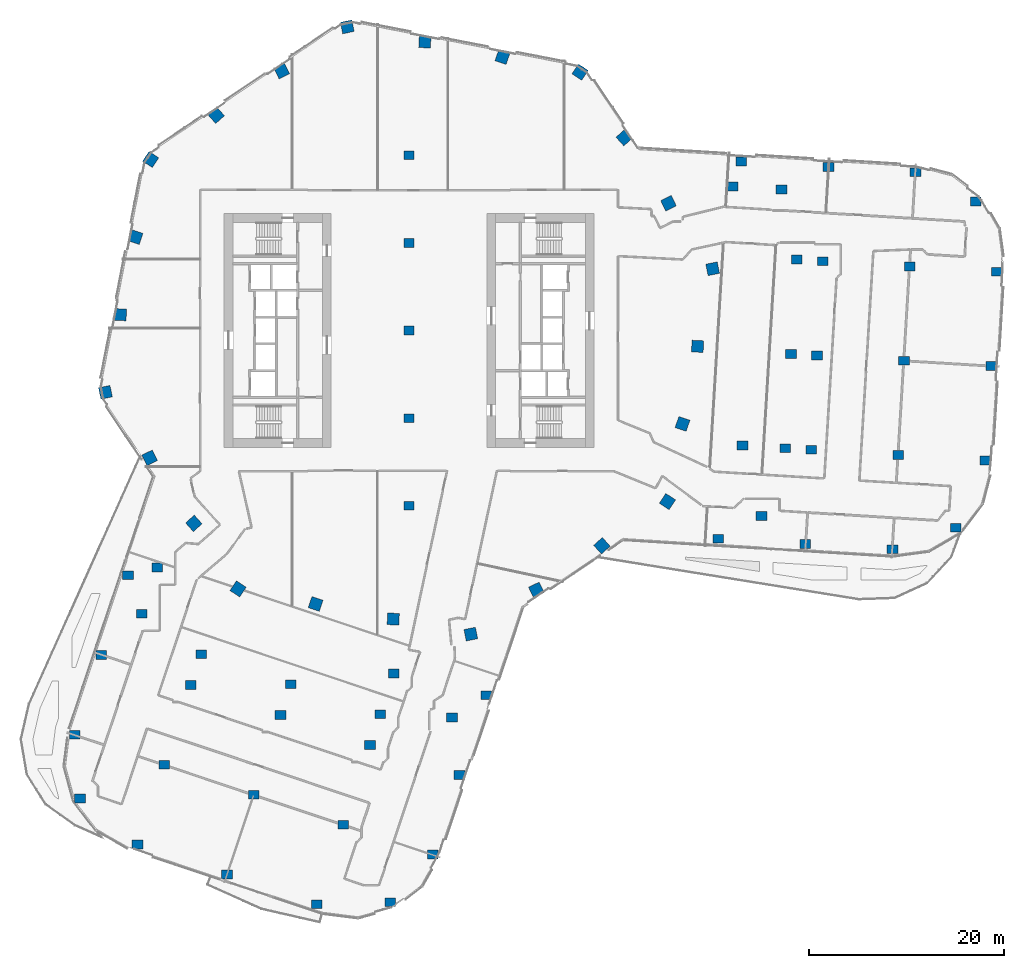
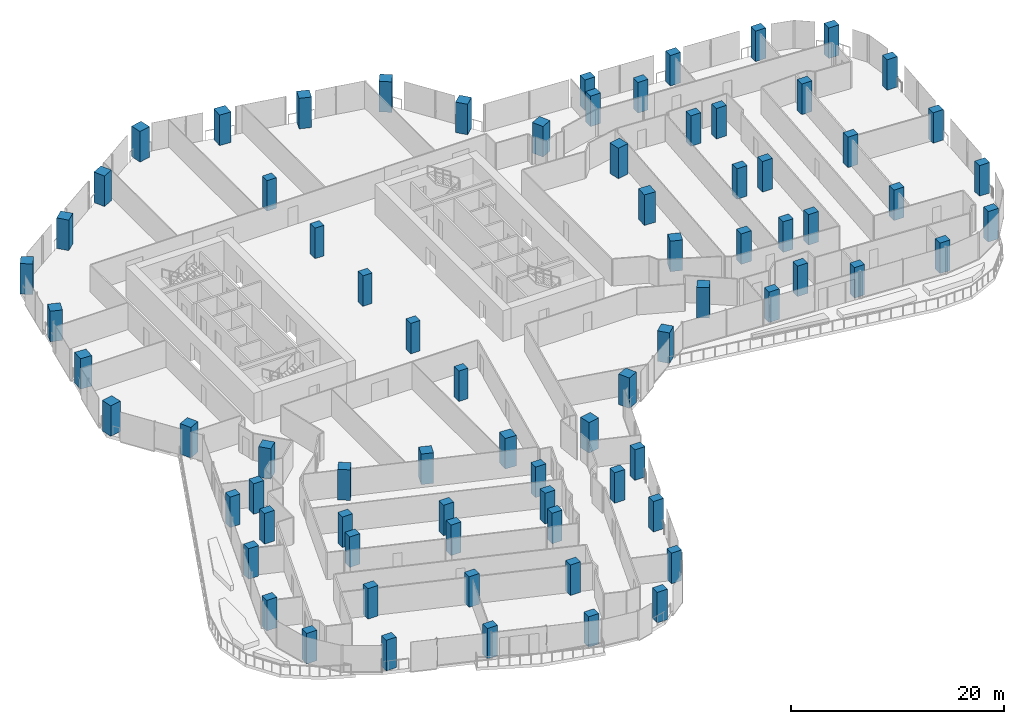
# One storey, part 1 of 34: 77 columns.
"""IFC4 building model written with IfcOpenShell, lengths in metres."""

from ifc_helpers import new_model, si_unit, direction, frame, origin, origin_2d, place, context, subcontext, project, spatial, rectangle, extrude, material, material_profile, profile_set, type_object, element, save


model = new_model("IFC4")

# Units and contexts
model_context = context("Model", 3, precision=1e-05, world=origin(), true_north=direction((0.0, 1.0)))
body_context = subcontext(model_context, "Body", "Model", "MODEL_VIEW")
ifc_project = project(units=[si_unit("LENGTHUNIT", "METRE"), si_unit("AREAUNIT", "SQUARE_METRE"), si_unit("VOLUMEUNIT", "CUBIC_METRE"), si_unit("PLANEANGLEUNIT", "RADIAN"), si_unit("MASSUNIT", "GRAM", prefix="KILO")], contexts=[model_context])

# Site, building, storey
site_placement = place(None, origin())
site = spatial("IfcSite", under=ifc_project, at=site_placement, CompositionType="ELEMENT")
building_placement = place(site_placement, origin())
building = spatial("IfcBuilding", under=site, at=building_placement, Name="Orlundy Tower", CompositionType="ELEMENT")
storey_placement = place(building_placement, frame((0.0, 0.0, 145.60009765625)))
storey = spatial("IfcBuildingStorey", under=building, at=storey_placement, Name="L37", CompositionType="ELEMENT", Elevation=145.60009765625)

# Columns
ifc_material_1 = material(Name="Concrete C70/85", Category="concrete")
ifc_material_profile_1 = material_profile(ifc_material_1, rectangle(XDim=1.0, YDim=0.89990234375, at=origin_2d()), Name="RC1000X900")
ifc_profile_set_1 = profile_set([ifc_material_profile_1], Name="Concrete C70/85")
column_type_1 = type_object("IfcColumnType", Name="RC COLUMN RC1000X900 C70/85", PredefinedType="COLUMN", material=ifc_profile_set_1)
for number, where, z_axis, x_axis, name in (
    (1, (0.0, -18.0, 0.0), (0.0, 0.0, 1.0), (1.0, 0.0, 0.0), "Column C-M1 L37"),
    (2, (0.0, -9.0, 0.0), (0.0, 0.0, 1.0), (1.0, 0.0, 0.0), "Column C-M2 L37"),
    (3, (0.0, 0.0, 0.0), (0.0, 0.0, 1.0), (1.0, 0.0, 0.0), "Column C-M3 L37"),
    (4, (0.0, 9.0, 0.0), (0.0, 0.0, 1.0), (1.0, 0.0, 0.0), "Column C-M4 L37"),
    (5, (0.0, 18.0, 0.0), (0.0, 0.0, 1.0), (1.0, 0.0, 0.0), "Column C-M5 L37"),
):
    element("IfcColumn", number, at=place(storey_placement, frame(where, z_axis=z_axis, x_axis=x_axis)), inside=storey, type_object=column_type_1, Name=name, PredefinedType="COLUMN", context=body_context, shape_type="SweptSolid", body=[
        extrude(rectangle(XDim=1.0, YDim=0.89990234375, at=origin_2d()), origin(), (0.0, 0.0, 1.0), 3.5),
    ])
ifc_material_2 = material(Name="Concrete C70/85", Category="concrete")
ifc_material_profile_2 = material_profile(ifc_material_2, rectangle(XDim=1.10009765625, YDim=0.89990234375, at=origin_2d()), Name="RC1100X900")
ifc_profile_set_2 = profile_set([ifc_material_profile_2], Name="Concrete C70/85")
column_type_2 = type_object("IfcColumnType", Name="RC COLUMN RC1100X900 C70/85", PredefinedType="COLUMN", material=ifc_profile_set_2)
for number, where, z_axis, x_axis, name in (
    (6, (31.75390625, -21.3779296875, 0.0), (0.0, 0.0, 1.0), (1.0, 0.0, 0.0), "Column C-A1-1 L37"),
    (7, (40.7041015625, -21.926025390625, 0.0), (0.0, 0.0, 1.0), (1.0, 0.0, 0.0), "Column C-A1-2 L37"),
    (8, (49.654052734375, -22.472900390625, 0.0), (0.0, 0.0, 1.0), (1.0, 0.0, 0.0), "Column C-A1-3 L37"),
    (9, (56.160888671875, -20.260009765625, 0.0), (0.0, 0.0, 1.0), (1.0, 0.0, 0.0), "Column C-A1-5 L37"),
    (10, (36.197998046875, -19.0390625, 0.0), (0.0, 0.0, 1.0), (1.0, 0.0, 0.0), "Column C-A1-6 L37"),
    (11, (41.2958984375, -12.243896484375, 0.0), (0.0, 0.0, 1.0), (1.0, 0.0, 0.0), "Column C-A2-2 L37"),
    (12, (50.24609375, -12.791015625, 0.0), (0.0, 0.0, 1.0), (1.0, 0.0, 0.0), "Column C-A2-3 L37"),
    (13, (59.196044921875, -13.339111328125, 0.0), (0.0, 0.0, 1.0), (1.0, 0.0, 0.0), "Column C-A2-5 L37"),
    (14, (38.635009765625, -12.0810546875, 0.0), (0.0, 0.0, 1.0), (1.0, 0.0, 0.0), "Column C-A2-6 L37"),
    (15, (34.242919921875, -11.81298828125, 0.0), (0.0, 0.0, 1.0), (1.0, 0.0, 0.0), "Column C-A2-7 L37"),
    (16, (41.887939453125, -2.56201171875, 0.0), (0.0, 0.0, 1.0), (1.0, 0.0, 0.0), "Column C-A3-2 L37"),
    (17, (50.837890625, -3.10888671875, 0.0), (0.0, 0.0, 1.0), (1.0, 0.0, 0.0), "Column C-A3-3 L37"),
    (18, (59.7880859375, -3.656982421875, 0.0), (0.0, 0.0, 1.0), (1.0, 0.0, 0.0), "Column C-A3-5 L37"),
    (19, (39.22705078125, -2.39892578125, 0.0), (0.0, 0.0, 1.0), (1.0, 0.0, 0.0), "Column C-A3-6 L37"),
    (20, (42.48095703125, 7.1201171875, 0.0), (0.0, 0.0, 1.0), (1.0, 0.0, 0.0), "Column C-A4-2 L37"),
    (21, (51.430908203125, 6.572998046875, 0.0), (0.0, 0.0, 1.0), (1.0, 0.0, 0.0), "Column C-A4-3 L37"),
    (22, (60.3798828125, 6.02490234375, 0.0), (0.0, 0.0, 1.0), (1.0, 0.0, 0.0), "Column C-A4-5 L37"),
    (23, (39.819091796875, 7.282958984375, 0.0), (0.0, 0.0, 1.0), (1.0, 0.0, 0.0), "Column C-A4-6 L37"),
    (24, (34.123046875, 17.34912109375, 0.0), (0.0, 0.0, 1.0), (1.0, 0.0, 0.0), "Column C-A5-1 L37"),
    (25, (43.072998046875, 16.802001953125, 0.0), (0.0, 0.0, 1.0), (1.0, 0.0, 0.0), "Column C-A5-2 L37"),
    (26, (52.02294921875, 16.25390625, 0.0), (0.0, 0.0, 1.0), (1.0, 0.0, 0.0), "Column C-A5-3 L37"),
    (27, (58.2119140625, 13.263916015625, 0.0), (0.0, 0.0, 1.0), (1.0, 0.0, 0.0), "Column C-A5-5 L37"),
    (28, (38.2490234375, 14.485107421875, 0.0), (0.0, 0.0, 1.0), (1.0, 0.0, 0.0), "Column C-A5-6 L37"),
    (29, (33.258056640625, 14.7900390625, 0.0), (0.0, 0.0, 1.0), (1.0, 0.0, 0.0), "Column C-A5-7 L37"),
    (30, (-28.868896484375, -25.138916015625, 0.0), (0.0, 0.0, 1.0), (1.0, 0.0, 0.0), "Column C-B1-1 L37"),
    (31, (-31.60791015625, -33.325927734375, 0.0), (0.0, 0.0, 1.0), (1.0, 0.0, 0.0), "Column C-B1-2 L37"),
    (32, (-34.343994140625, -41.514892578125, 0.0), (0.0, 0.0, 1.0), (1.0, 0.0, 0.0), "Column C-B1-3 L37"),
    (33, (-33.7880859375, -48.055908203125, 0.0), (0.0, 0.0, 1.0), (1.0, 0.0, 0.0), "Column C-B1-5 L37"),
    (34, (-27.44091796875, -29.089111328125, 0.0), (0.0, 0.0, 1.0), (1.0, 0.0, 0.0), "Column C-B1-6 L37"),
    (35, (-25.85498046875, -24.347900390625, 0.0), (0.0, 0.0, 1.0), (1.0, 0.0, 0.0), "Column C-B1-7 L37"),
    (36, (-22.408935546875, -36.404052734375, 0.0), (0.0, 0.0, 1.0), (1.0, 0.0, 0.0), "Column C-B2-2 L37"),
    (37, (-25.14892578125, -44.591064453125, 0.0), (0.0, 0.0, 1.0), (1.0, 0.0, 0.0), "Column C-B2-3 L37"),
    (38, (-27.887939453125, -52.778076171875, 0.0), (0.0, 0.0, 1.0), (1.0, 0.0, 0.0), "Column C-B2-5 L37"),
    (39, (-21.35205078125, -33.242919921875, 0.0), (0.0, 0.0, 1.0), (1.0, 0.0, 0.0), "Column C-B2-6 L37"),
    (40, (-13.2099609375, -39.48193359375, 0.0), (0.0, 0.0, 1.0), (1.0, 0.0, 0.0), "Column C-B3-2 L37"),
    (41, (-15.949951171875, -47.6689453125, 0.0), (0.0, 0.0, 1.0), (1.0, 0.0, 0.0), "Column C-B3-3 L37"),
    (42, (-18.68896484375, -55.85595703125, 0.0), (0.0, 0.0, 1.0), (1.0, 0.0, 0.0), "Column C-B3-5 L37"),
    (43, (-12.153076171875, -36.321044921875, 0.0), (0.0, 0.0, 1.0), (1.0, 0.0, 0.0), "Column C-B3-6 L37"),
    (44, (-4.011962890625, -42.56005859375, 0.0), (0.0, 0.0, 1.0), (1.0, 0.0, 0.0), "Column C-B4-2 L37"),
    (45, (-6.7509765625, -50.7470703125, 0.0), (0.0, 0.0, 1.0), (1.0, 0.0, 0.0), "Column C-B4-3 L37"),
    (46, (-9.490966796875, -58.93408203125, 0.0), (0.0, 0.0, 1.0), (1.0, 0.0, 0.0), "Column C-B4-5 L37"),
    (47, (-2.9541015625, -39.39892578125, 0.0), (0.0, 0.0, 1.0), (1.0, 0.0, 0.0), "Column C-B4-6 L37"),
    (48, (-1.55810546875, -35.22607421875, 0.0), (0.0, 0.0, 1.0), (1.0, 0.0, 0.0), "Column C-B4-7 L37"),
    (49, (7.926025390625, -37.449951171875, 0.0), (0.0, 0.0, 1.0), (1.0, 0.0, 0.0), "Column C-B5-1 L37"),
    (50, (5.18701171875, -45.637939453125, 0.0), (0.0, 0.0, 1.0), (1.0, 0.0, 0.0), "Column C-B5-2 L37"),
    (51, (2.444091796875, -53.822998046875, 0.0), (0.0, 0.0, 1.0), (1.0, 0.0, 0.0), "Column C-B5-3 L37"),
    (52, (-1.93701171875, -58.712890625, 0.0), (0.0, 0.0, 1.0), (1.0, 0.0, 0.0), "Column C-B5-5 L37"),
    (53, (4.408935546875, -39.74609375, 0.0), (0.0, 0.0, 1.0), (1.0, 0.0, 0.0), "Column C-B5-6 L37"),
):
    element("IfcColumn", number, at=place(storey_placement, frame(where, z_axis=z_axis, x_axis=x_axis)), inside=storey, type_object=column_type_2, Name=name, PredefinedType="COLUMN", context=body_context, shape_type="SweptSolid", body=[
        extrude(rectangle(XDim=1.10009765625, YDim=0.89990234375, at=origin_2d()), origin(), (0.0, 0.0, 1.0), 3.5),
    ])
ifc_material_3 = material(Name="Concrete C70/85", Category="concrete")
ifc_material_profile_3 = material_profile(ifc_material_3, rectangle(XDim=1.199951171875, YDim=1.199951171875, at=origin_2d()), Name="RC1200X1200")
ifc_profile_set_3 = profile_set([ifc_material_profile_3], Name="Concrete C70/85")
column_type_3 = type_object("IfcColumnType", Name="RC COLUMN RC1200X1200 C70/85", PredefinedType="COLUMN", material=ifc_profile_set_3)
for number, where, z_axis, x_axis, name in (
    (54, (17.56396484375, 26.535888671875, 0.0), (0.0, 0.0, 1.0), (0.551936985312, 0.833885822067, 0.0), "Column C-H01 L37"),
    (55, (22.10400390625, 19.805908203125, 0.0), (0.0, 0.0, 1.0), (0.744754305823, 0.667338762517, 0.0), "Column C-H02 L37"),
    (56, (26.64404296875, 13.074951171875, 0.0), (0.0, 0.0, 1.0), (0.897727910651, 0.440550335873, 0.0), "Column C-H03 L37"),
    (57, (31.18310546875, 6.343994140625, 0.0), (0.0, 0.0, 1.0), (0.979924704621, 0.199367934417, 0.0), "Column C-H04 L37"),
    (58, (29.634033203125, -1.625, 0.0), (0.0, 0.0, 1.0), (0.998499628726, -0.054758482756, 0.0), "Column C-H05 L37"),
    (59, (28.0849609375, -9.593994140625, 0.0), (0.0, 0.0, 1.0), (0.946311265272, -0.323256847134, 0.0), "Column C-H06 L37"),
    (60, (26.535888671875, -17.56396484375, 0.0), (0.0, 0.0, 1.0), (0.833885822067, -0.551936985312, 0.0), "Column C-H07 L37"),
    (61, (19.805908203125, -22.10400390625, 0.0), (0.0, 0.0, 1.0), (0.667338762517, -0.744754305823, 0.0), "Column C-H08 L37"),
    (62, (13.074951171875, -26.64404296875, 0.0), (0.0, 0.0, 1.0), (0.440550335873, -0.897727910651, 0.0), "Column C-H09 L37"),
    (63, (6.343994140625, -31.18310546875, 0.0), (0.0, 0.0, 1.0), (0.199367934417, -0.979924704621, 0.0), "Column C-H10 L37"),
    (64, (-1.625, -29.634033203125, 0.0), (0.0, 0.0, 1.0), (-0.054758482756, -0.998499628726, 0.0), "Column C-H11 L37"),
    (65, (-9.593994140625, -28.0849609375, 0.0), (0.0, 0.0, 1.0), (-0.323256847134, -0.946311265272, 0.0), "Column C-H12 L37"),
    (66, (-17.56396484375, -26.535888671875, 0.0), (0.0, 0.0, 1.0), (-0.551936985312, -0.833885822067, 0.0), "Column C-H13 L37"),
    (67, (-22.10400390625, -19.805908203125, 0.0), (0.0, 0.0, 1.0), (-0.744754305823, -0.667338762517, 0.0), "Column C-H14 L37"),
    (68, (-26.64404296875, -13.074951171875, 0.0), (0.0, 0.0, 1.0), (-0.897727910651, -0.440550335873, 0.0), "Column C-H15 L37"),
    (69, (-31.18310546875, -6.343994140625, 0.0), (0.0, 0.0, 1.0), (-0.979924704621, -0.199367934417, 0.0), "Column C-H16 L37"),
    (70, (-29.634033203125, 1.625, 0.0), (0.0, 0.0, 1.0), (-0.998499628726, 0.054758482756, 0.0), "Column C-H17 L37"),
    (71, (-28.0849609375, 9.593994140625, 0.0), (0.0, 0.0, 1.0), (-0.946311265272, 0.323256847134, 0.0), "Column C-H18 L37"),
    (72, (-26.535888671875, 17.56396484375, 0.0), (0.0, 0.0, 1.0), (-0.833885822067, 0.551936985312, 0.0), "Column C-H19 L37"),
    (73, (-19.805908203125, 22.10400390625, 0.0), (0.0, 0.0, 1.0), (-0.667338762517, 0.744754305823, 0.0), "Column C-H20 L37"),
    (74, (-13.074951171875, 26.64404296875, 0.0), (0.0, 0.0, 1.0), (-0.440550335873, 0.897727910651, 0.0), "Column C-H21 L37"),
    (75, (-6.343994140625, 31.18310546875, 0.0), (0.0, 0.0, 1.0), (-0.199367934417, 0.979924704621, 0.0), "Column C-H22 L37"),
    (76, (1.625, 29.634033203125, 0.0), (0.0, 0.0, 1.0), (0.054758482756, 0.998499628726, 0.0), "Column C-H23 L37"),
    (77, (9.593994140625, 28.0849609375, 0.0), (0.0, 0.0, 1.0), (0.323256847134, 0.946311265272, 0.0), "Column C-H24 L37"),
):
    element("IfcColumn", number, at=place(storey_placement, frame(where, z_axis=z_axis, x_axis=x_axis)), inside=storey, type_object=column_type_3, Name=name, PredefinedType="COLUMN", context=body_context, shape_type="SweptSolid", body=[
        extrude(rectangle(XDim=1.199951171875, YDim=1.199951171875, at=origin_2d()), origin(), (0.0, 0.0, 1.0), 3.5),
    ])

save(model, "model.ifc")
